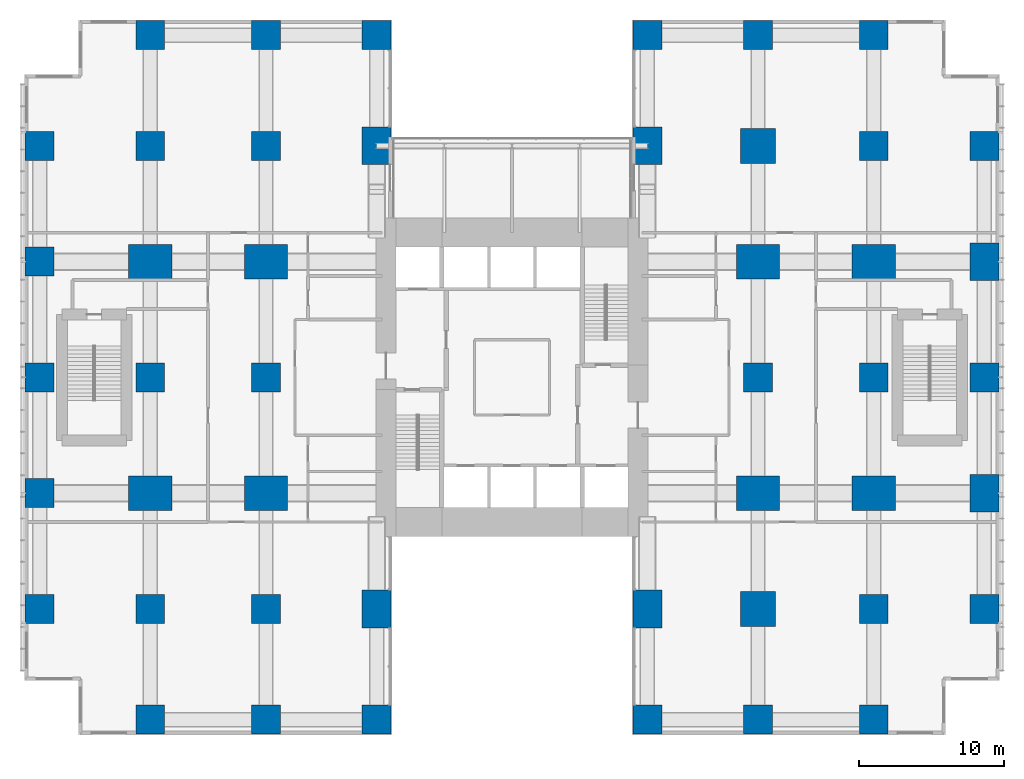
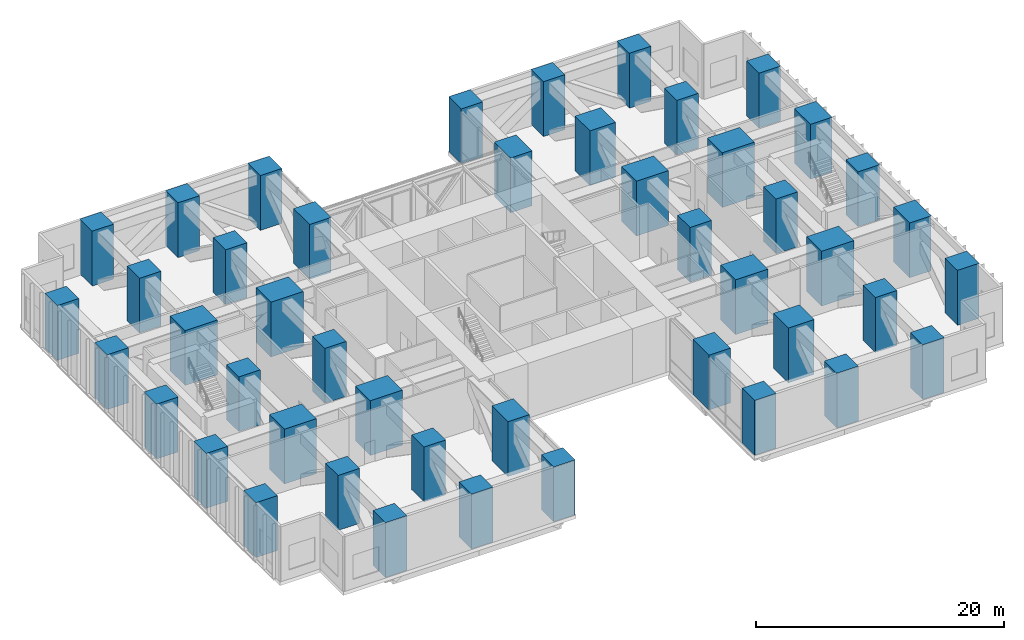
# One storey, part 1 of 17: 46 columns.
"""IFC4 building model written with IfcOpenShell, lengths in metres."""

import ifcopenshell
import ifcopenshell.guid

model = None  # the IFC model being written
_history = None  # IfcOwnerHistory: only IFC2X3 demands one
_inside = {}  # id of a spatial element -> (the spatial element, [elements in it])
_under = {}  # id of a project, library or spatial element -> (it, [spatial elements below it])
_declared = {}  # id of a project -> (the project, [libraries it declares])
_typed = {}  # id of a type object -> (the type object, [elements of that type])
_made_of = {}  # id of a material, layer set ... -> (it, [elements and type objects made of it])


def new_model(schema):
    """Start an empty IFC model of exactly this schema.

    Asked for "IFC4X3", IfcOpenShell would pick the latest addendum, in which some entities
    have other attributes; the version numbers below select the first issue.
    IFC2X3 requires an IfcOwnerHistory on every rooted entity: one is made here for all.
    """
    global model, _history
    if schema == "IFC4X3":
        model = ifcopenshell.file(schema_version=(4, 3, 0, 0))
    else:
        model = ifcopenshell.file(schema=schema)
    _inside.clear()
    _under.clear()
    _declared.clear()
    _typed.clear()
    _made_of.clear()
    _history = None
    if model.schema == "IFC2X3":
        org = make("IfcOrganization", Name="unknown")
        user = make(
            "IfcPersonAndOrganization",
            ThePerson=make("IfcPerson", FamilyName="unknown"),
            TheOrganization=org,
        )
        app = make(
            "IfcApplication",
            ApplicationDeveloper=org,
            Version="unknown",
            ApplicationFullName="unknown",
            ApplicationIdentifier="unknown",
        )
        _history = make(
            "IfcOwnerHistory",
            OwningUser=user,
            OwningApplication=app,
            ChangeAction="ADDED",
            CreationDate=0,
        )
    return model


def make(cls, **values):
    """One entity of the class cls with the attributes given. An attribute that is None is left unset."""
    return model.create_entity(
        cls, **{name: value for name, value in values.items() if value is not None}
    )


def rooted(cls, **values):
    """An entity with a GlobalId (a new one), such as an element, a storey or a relation."""
    return make(cls, GlobalId=ifcopenshell.guid.new(), OwnerHistory=_history, **values)


def si_unit(unit_type, name, prefix=None):
    """IfcSIUnit, for example si_unit("LENGTHUNIT", "METRE", prefix="MILLI")."""
    return make("IfcSIUnit", UnitType=unit_type, Prefix=prefix, Name=name)


def assignment(units):
    """IfcUnitAssignment: the units of a project."""
    return None if units is None else make("IfcUnitAssignment", Units=units)


def point(xyz):
    """IfcCartesianPoint."""
    return None if xyz is None else make("IfcCartesianPoint", Coordinates=xyz)


def direction(xyz):
    """IfcDirection."""
    return None if xyz is None else make("IfcDirection", DirectionRatios=xyz)


def frame(location, z_axis=None, x_axis=None):
    """IfcAxis2Placement3D, a coordinate frame: its origin and axes. An axis left out is left unset."""
    return make(
        "IfcAxis2Placement3D",
        Location=point(location),
        Axis=direction(z_axis),
        RefDirection=direction(x_axis),
    )


def frame_2d(location, x_axis=None):
    """IfcAxis2Placement2D, a coordinate frame in the plane: its origin and x axis."""
    return make(
        "IfcAxis2Placement2D", Location=point(location), RefDirection=direction(x_axis)
    )


def origin():
    """The frame at (0, 0, 0) with its axes left unset."""
    return frame((0.0, 0.0, 0.0))


def origin_2d():
    """The frame at (0, 0) in the plane with its x axis left unset."""
    return frame_2d((0.0, 0.0))


def place(relative_to, where):
    """IfcLocalPlacement: puts the frame where relative to a parent placement (None: the world)."""
    return make(
        "IfcLocalPlacement", PlacementRelTo=relative_to, RelativePlacement=where
    )


def context(
    kind, dimensions, precision=None, world=None, true_north=None, identifier=None
):
    """IfcGeometricRepresentationContext, for example the 3D "Model" context."""
    return make(
        "IfcGeometricRepresentationContext",
        ContextIdentifier=identifier,
        ContextType=kind,
        CoordinateSpaceDimension=dimensions,
        Precision=precision,
        WorldCoordinateSystem=world,
        TrueNorth=true_north,
    )


def subcontext(parent, identifier, kind, view, scale=None):
    """IfcGeometricRepresentationSubContext, for example "Body" below "Model"."""
    return make(
        "IfcGeometricRepresentationSubContext",
        ContextIdentifier=identifier,
        ContextType=kind,
        ParentContext=parent,
        TargetScale=scale,
        TargetView=view,
    )


def project(units=None, contexts=None):
    """IfcProject with its units and contexts."""
    return rooted(
        "IfcProject",
        Name="project",
        RepresentationContexts=contexts,
        UnitsInContext=assignment(units),
    )


def spatial(cls, under=None, at=None, **own):
    """A site, building, storey or space (cls), placed at a placement, below another one or the project."""
    s = rooted(cls, ObjectPlacement=at, **own)
    if under is not None:
        _under.setdefault(under.id(), (under, []))[1].append(s)
    return s


def profile(cls, at=None, kind="AREA", **sizes):
    """A parametric profile (cls). Its sizes go by their IFC names, for example OverallWidth=200.0."""
    return make(cls, ProfileType=kind, Position=at, **sizes)


def rectangle(**sizes):
    """IfcRectangleProfileDef."""
    return profile("IfcRectangleProfileDef", **sizes)


def extrude(swept, where, along, depth):
    """IfcExtrudedAreaSolid: the profile swept, set in the frame where, extruded along a direction by depth."""
    return make(
        "IfcExtrudedAreaSolid",
        SweptArea=swept,
        Position=where,
        ExtrudedDirection=direction(along),
        Depth=depth,
    )


def shape(context_of_items, identifier, shape_type, items):
    """IfcShapeRepresentation: the items that make up one representation, for example the "Body"."""
    return make(
        "IfcShapeRepresentation",
        ContextOfItems=context_of_items,
        RepresentationIdentifier=identifier,
        RepresentationType=shape_type,
        Items=items,
    )


def material(Name=None, Category=None):
    """IfcMaterial."""
    return make("IfcMaterial", Name=Name, Category=Category)


def material_profile(
    of_material, cross_section, Name=None, Category=None, Priority=None
):
    """IfcMaterialProfile: a cross section and its material."""
    return make(
        "IfcMaterialProfile",
        Name=Name,
        Material=of_material,
        Profile=cross_section,
        Priority=Priority,
        Category=Category,
    )


def profile_set(profiles, Name=None, composite=None):
    """IfcMaterialProfileSet."""
    return make(
        "IfcMaterialProfileSet",
        Name=Name,
        MaterialProfiles=profiles,
        CompositeProfile=composite,
    )


def made_of(thing, what):
    """Note that an element or type object is made of a material, layer set ...; save() writes the relation."""
    if what is not None:
        _made_of.setdefault(what.id(), (what, []))[1].append(thing)
    return thing


def type_object(cls, material=None, **own):
    """A type object (cls), such as IfcWallType, which elements share."""
    return made_of(rooted(cls, **own), material)


def element(
    cls,
    number,
    at=None,
    inside=None,
    cuts=None,
    type_object=None,
    material=None,
    context=None,
    identifier="Body",
    shape_type=None,
    held_by="IfcProductDefinitionShape",
    body=None,
    shapes=None,
    **own,
):
    """One element of the class cls, such as IfcWall. Its Tag is "e" and its number.

    at: its placement. inside: the storey or other place that contains it. cuts: it is an
    opening in that element (IfcRelVoidsElement). A single representation is given by context,
    identifier, shape_type and body (its items); several are given by shapes. held_by: the class
    of the entity that holds the representations. save() writes the other relations.
    """
    e = rooted(cls, Tag="e%d" % number, ObjectPlacement=at, **own)
    if body is not None:
        shapes = [shape(context, identifier, shape_type, body)]
    if shapes is not None:
        e.Representation = make(held_by, Representations=shapes)
    if inside is not None:
        _inside.setdefault(inside.id(), (inside, []))[1].append(e)
    if cuts is not None:
        rooted(
            "IfcRelVoidsElement", RelatingBuildingElement=cuts, RelatedOpeningElement=e
        )
    if type_object is not None:
        _typed.setdefault(type_object.id(), (type_object, []))[1].append(e)
    return made_of(e, material)


def aggregate(whole, parts):
    """IfcRelAggregates: a whole, such as a stair, and the parts it consists of."""
    return rooted("IfcRelAggregates", RelatingObject=whole, RelatedObjects=parts)


def save(model, path):
    """Write the relations noted so far, then the file.

    IfcRelAggregates (storeys below a building ...), IfcRelContainedInSpatialStructure (elements
    in a storey), IfcRelDefinesByType, IfcRelAssociatesMaterial and IfcRelDeclares: one each for
    every whole, place, type object, material and project.
    """
    for whole, parts in _under.values():
        aggregate(whole, parts)
    for where, things in _inside.values():
        rooted(
            "IfcRelContainedInSpatialStructure",
            RelatedElements=things,
            RelatingStructure=where,
        )
    for kind, things in _typed.values():
        rooted("IfcRelDefinesByType", RelatedObjects=things, RelatingType=kind)
    for what, things in _made_of.values():
        rooted("IfcRelAssociatesMaterial", RelatedObjects=things, RelatingMaterial=what)
    for by, libraries in _declared.values():
        rooted("IfcRelDeclares", RelatingContext=by, RelatedDefinitions=libraries)
    model.write(path)


model = new_model("IFC4")

# Units and contexts
model_context = context("Model", 3, precision=1e-05, world=origin(), true_north=direction((0.0, 1.0)))
body_context = subcontext(model_context, "Body", "Model", "MODEL_VIEW")
ifc_project = project(units=[si_unit("LENGTHUNIT", "METRE"), si_unit("AREAUNIT", "SQUARE_METRE"), si_unit("VOLUMEUNIT", "CUBIC_METRE"), si_unit("PLANEANGLEUNIT", "RADIAN"), si_unit("MASSUNIT", "GRAM", prefix="KILO")], contexts=[model_context])

# Site, building, storey
site_placement = place(None, origin())
site = spatial("IfcSite", under=ifc_project, at=site_placement, CompositionType="ELEMENT")
building_placement = place(site_placement, origin())
building = spatial("IfcBuilding", under=site, at=building_placement, Name="Cleftline Residences", CompositionType="ELEMENT")
storey_placement = place(building_placement, frame((0.0, 0.0, 90.800048828125)))
storey = spatial("IfcBuildingStorey", under=building, at=storey_placement, Name="L23", CompositionType="ELEMENT", Elevation=90.800048828125)

# Columns
ifc_material_1 = material(Name="Concrete B70", Category="concrete")
ifc_material_profile_1 = material_profile(ifc_material_1, rectangle(XDim=2.0, YDim=2.0, at=origin_2d()))
ifc_profile_set_1 = profile_set([ifc_material_profile_1], Name="Concrete B70")
column_type_1 = type_object("IfcColumnType", Name="COLUMN RC2000X2000", PredefinedType="COLUMN", material=ifc_profile_set_1)
for number, where, z_axis, x_axis, name in (
    (1, (0.35009765625, 8.0, 0.0), (0.0, 0.0, 1.0), (1.0, 0.0, 0.0), "Column D/3"),
    (2, (0.35009765625, 16.0, 0.0), (0.0, 0.0, 1.0), (1.0, 0.0, 0.0), "Column E/3"),
    (3, (0.35009765625, 24.0, 0.0), (0.0, 0.0, 1.0), (1.0, 0.0, 0.0), "Column F/3"),
    (4, (0.35009765625, 32.0, 0.0), (0.0, 0.0, 1.0), (1.0, 0.0, 0.0), "Column G/3"),
    (5, (0.35009765625, 40.0, 0.0), (0.0, 0.0, 1.0), (1.0, 0.0, 0.0), "Column H/3"),
    (6, (8.0, 0.35009765625, 0.0), (0.0, 0.0, 1.0), (1.0, 0.0, 0.0), "Column C/4"),
    (7, (8.0, 8.0, 0.0), (0.0, 0.0, 1.0), (1.0, 0.0, 0.0), "Column D/4"),
    (8, (8.0, 24.0, 0.0), (0.0, 0.0, 1.0), (1.0, 0.0, 0.0), "Column F/4"),
    (9, (8.0, 40.0, 0.0), (0.0, 0.0, 1.0), (1.0, 0.0, 0.0), "Column H/4"),
    (10, (8.0, 47.64990234375, 0.0), (0.0, 0.0, 1.0), (1.0, 0.0, 0.0), "Column J/4"),
    (11, (16.0, 0.35009765625, 0.0), (0.0, 0.0, 1.0), (1.0, 0.0, 0.0), "Column C/5"),
    (12, (16.0, 8.0, 0.0), (0.0, 0.0, 1.0), (1.0, 0.0, 0.0), "Column D/5"),
    (13, (16.0, 24.0, 0.0), (0.0, 0.0, 1.0), (1.0, 0.0, 0.0), "Column F/5"),
    (14, (16.0, 40.0, 0.0), (0.0, 0.0, 1.0), (1.0, 0.0, 0.0), "Column H/5"),
    (15, (16.0, 47.64990234375, 0.0), (0.0, 0.0, 1.0), (1.0, 0.0, 0.0), "Column J/5"),
    (16, (23.64990234375, 0.35009765625, 0.0), (0.0, 0.0, 1.0), (1.0, 0.0, 0.0), "Column C/6"),
    (17, (23.64990234375, 47.64990234375, 0.0), (0.0, 0.0, 1.0), (1.0, 0.0, 0.0), "Column J/6"),
    (18, (42.35009765625, 0.35009765625, 0.0), (0.0, 0.0, 1.0), (1.0, 0.0, 0.0), "Column C/8"),
    (19, (42.35009765625, 47.64990234375, 0.0), (0.0, 0.0, 1.0), (1.0, 0.0, 0.0), "Column J/8"),
    (20, (50.0, 0.35009765625, 0.0), (0.0, 0.0, 1.0), (1.0, 0.0, 0.0), "Column C/9"),
    (21, (50.0, 24.0, 0.0), (0.0, 0.0, 1.0), (1.0, 0.0, 0.0), "Column F/9"),
    (22, (50.0, 47.64990234375, 0.0), (0.0, 0.0, 1.0), (1.0, 0.0, 0.0), "Column J/9"),
    (23, (58.0, 0.35009765625, 0.0), (0.0, 0.0, 1.0), (1.0, 0.0, 0.0), "Column C/10"),
    (24, (58.0, 8.0, 0.0), (0.0, 0.0, 1.0), (1.0, 0.0, 0.0), "Column D/10"),
    (25, (58.0, 24.0, 0.0), (0.0, 0.0, 1.0), (1.0, 0.0, 0.0), "Column F/10"),
    (26, (58.0, 40.0, 0.0), (0.0, 0.0, 1.0), (1.0, 0.0, 0.0), "Column H/10"),
    (27, (58.0, 47.64990234375, 0.0), (0.0, 0.0, 1.0), (1.0, 0.0, 0.0), "Column J/10"),
    (28, (65.64990234375, 8.0, 0.0), (0.0, 0.0, 1.0), (1.0, 0.0, 0.0), "Column D/11"),
    (29, (65.64990234375, 24.0, 0.0), (0.0, 0.0, 1.0), (1.0, 0.0, 0.0), "Column F/11"),
    (30, (65.64990234375, 40.0, 0.0), (0.0, 0.0, 1.0), (1.0, 0.0, 0.0), "Column H/11"),
):
    element("IfcColumn", number, at=place(storey_placement, frame(where, z_axis=z_axis, x_axis=x_axis)), inside=storey, type_object=column_type_1, Name=name, PredefinedType="COLUMN", context=body_context, shape_type="SweptSolid", body=[
        extrude(rectangle(XDim=2.0, YDim=2.0, at=origin_2d()), origin(), (0.0, 0.0, 1.0), 5.39990234375),
    ])
ifc_material_2 = material(Name="Concrete B70", Category="concrete")
ifc_material_profile_2 = material_profile(ifc_material_2, rectangle(XDim=2.0, YDim=2.60009765625, at=origin_2d()))
ifc_profile_set_2 = profile_set([ifc_material_profile_2], Name="Concrete B70")
column_type_2 = type_object("IfcColumnType", Name="COLUMN RC2000X2600", PredefinedType="COLUMN", material=ifc_profile_set_2)
for number, where, z_axis, x_axis, name in (
    (31, (23.64990234375, 8.0, 0.0), (0.0, 0.0, 1.0), (1.0, 0.0, 0.0), "Column D/6"),
    (32, (23.64990234375, 40.0, 0.0), (0.0, 0.0, 1.0), (1.0, 0.0, 0.0), "Column H/6"),
    (33, (42.35009765625, 8.0, 0.0), (0.0, 0.0, 1.0), (1.0, 0.0, 0.0), "Column D/8"),
    (34, (42.35009765625, 40.0, 0.0), (0.0, 0.0, 1.0), (1.0, 0.0, 0.0), "Column H/8"),
):
    element("IfcColumn", number, at=place(storey_placement, frame(where, z_axis=z_axis, x_axis=x_axis)), inside=storey, type_object=column_type_2, Name=name, PredefinedType="COLUMN", context=body_context, shape_type="SweptSolid", body=[
        extrude(rectangle(XDim=2.0, YDim=2.60009765625, at=origin_2d()), origin(), (0.0, 0.0, 1.0), 5.39990234375),
    ])
ifc_material_3 = material(Name="Concrete B70", Category="concrete")
ifc_material_profile_3 = material_profile(ifc_material_3, rectangle(XDim=2.39990234375, YDim=2.39990234375, at=origin_2d()))
ifc_profile_set_3 = profile_set([ifc_material_profile_3], Name="Concrete B70")
column_type_3 = type_object("IfcColumnType", Name="COLUMN RC2400X2400", PredefinedType="COLUMN", material=ifc_profile_set_3)
for number, where, z_axis, x_axis, name in (
    (35, (50.0, 8.0, 0.0), (0.0, 0.0, 1.0), (1.0, 0.0, 0.0), "Column D/9"),
    (36, (50.0, 40.0, 0.0), (0.0, 0.0, 1.0), (1.0, 0.0, 0.0), "Column H/9"),
):
    element("IfcColumn", number, at=place(storey_placement, frame(where, z_axis=z_axis, x_axis=x_axis)), inside=storey, type_object=column_type_3, Name=name, PredefinedType="COLUMN", context=body_context, shape_type="SweptSolid", body=[
        extrude(rectangle(XDim=2.39990234375, YDim=2.39990234375, at=origin_2d()), origin(), (0.0, 0.0, 1.0), 5.39990234375),
    ])
ifc_material_4 = material(Name="Concrete B70", Category="concrete")
ifc_material_profile_4 = material_profile(ifc_material_4, rectangle(XDim=2.60009765625, YDim=2.0, at=origin_2d()))
ifc_profile_set_4 = profile_set([ifc_material_profile_4], Name="Concrete B70")
column_type_4 = type_object("IfcColumnType", Name="COLUMN RC2600X2000", PredefinedType="COLUMN", material=ifc_profile_set_4)
for number, where, z_axis, x_axis, name in (
    (37, (65.64990234375, 16.0, 0.0), (0.0, 0.0, 1.0), (0.0, 1.0, 0.0), "Column E/11"),
    (38, (65.64990234375, 32.0, 0.0), (0.0, 0.0, 1.0), (0.0, 1.0, 0.0), "Column G/11"),
):
    element("IfcColumn", number, at=place(storey_placement, frame(where, z_axis=z_axis, x_axis=x_axis)), inside=storey, type_object=column_type_4, Name=name, PredefinedType="COLUMN", context=body_context, shape_type="SweptSolid", body=[
        extrude(rectangle(XDim=2.60009765625, YDim=2.0, at=origin_2d()), origin(), (0.0, 0.0, 1.0), 5.39990234375),
    ])
ifc_material_5 = material(Name="Concrete B70", Category="concrete")
ifc_material_profile_5 = material_profile(ifc_material_5, rectangle(XDim=3.0, YDim=2.39990234375, at=origin_2d()))
ifc_profile_set_5 = profile_set([ifc_material_profile_5], Name="Concrete B70")
column_type_5 = type_object("IfcColumnType", Name="COLUMN RC3000X2400", PredefinedType="COLUMN", material=ifc_profile_set_5)
for number, where, z_axis, x_axis, name in (
    (39, (8.0, 16.0, 0.0), (0.0, 0.0, 1.0), (1.0, 0.0, 0.0), "Column E/4"),
    (40, (8.0, 32.0, 0.0), (0.0, 0.0, 1.0), (1.0, 0.0, 0.0), "Column G/4"),
    (41, (16.0, 16.0, 0.0), (0.0, 0.0, 1.0), (1.0, 0.0, 0.0), "Column E/5"),
    (42, (16.0, 32.0, 0.0), (0.0, 0.0, 1.0), (1.0, 0.0, 0.0), "Column G/5"),
    (43, (50.0, 16.0, 0.0), (0.0, 0.0, 1.0), (1.0, 0.0, 0.0), "Column E/9"),
    (44, (50.0, 32.0, 0.0), (0.0, 0.0, 1.0), (1.0, 0.0, 0.0), "Column G/9"),
    (45, (58.0, 16.0, 0.0), (0.0, 0.0, 1.0), (1.0, 0.0, 0.0), "Column E/10"),
    (46, (58.0, 32.0, 0.0), (0.0, 0.0, 1.0), (1.0, 0.0, 0.0), "Column G/10"),
):
    element("IfcColumn", number, at=place(storey_placement, frame(where, z_axis=z_axis, x_axis=x_axis)), inside=storey, type_object=column_type_5, Name=name, PredefinedType="COLUMN", context=body_context, shape_type="SweptSolid", body=[
        extrude(rectangle(XDim=3.0, YDim=2.39990234375, at=origin_2d()), origin(), (0.0, 0.0, 1.0), 5.39990234375),
    ])

save(model, "model.ifc")
